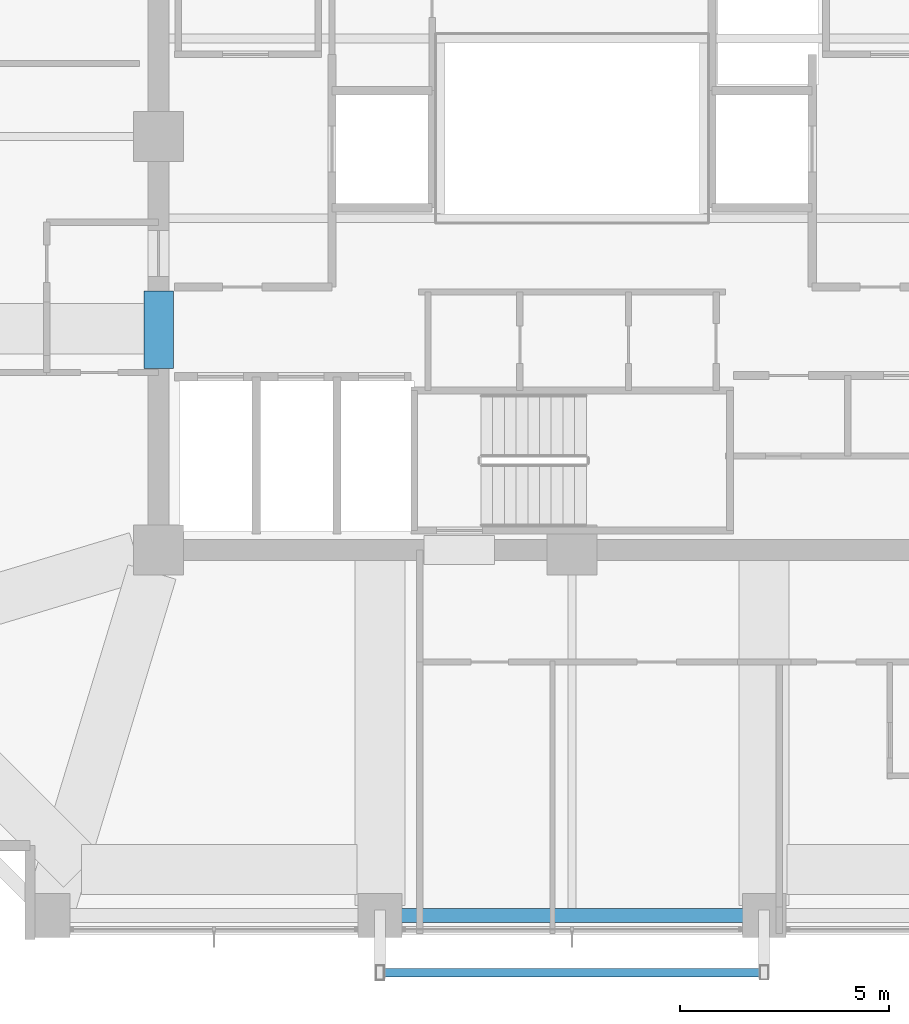
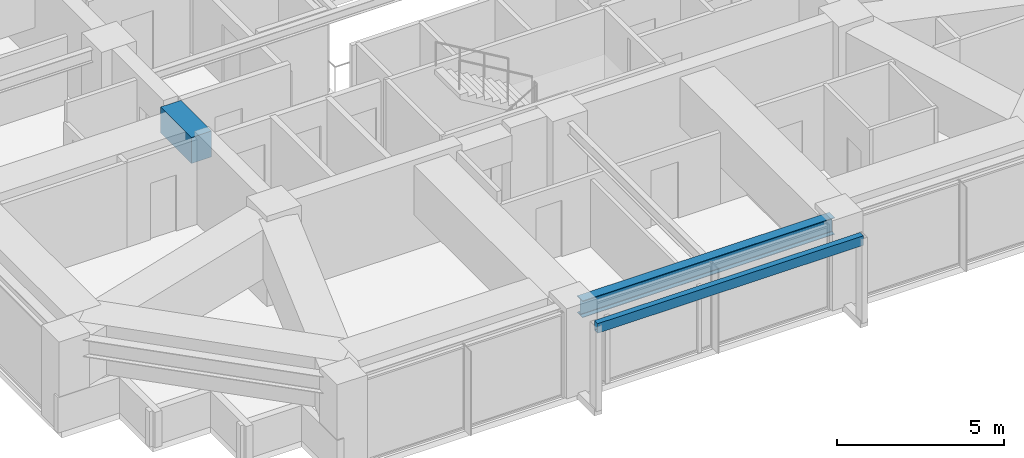
# One storey, part 4 of 28: 2 beams, 1 member.
"""IFC4 building model written with IfcOpenShell, lengths in metres."""

import ifcopenshell
import ifcopenshell.guid

model = None  # the IFC model being written
_history = None  # IfcOwnerHistory: only IFC2X3 demands one
_inside = {}  # id of a spatial element -> (the spatial element, [elements in it])
_under = {}  # id of a project, library or spatial element -> (it, [spatial elements below it])
_declared = {}  # id of a project -> (the project, [libraries it declares])
_typed = {}  # id of a type object -> (the type object, [elements of that type])
_made_of = {}  # id of a material, layer set ... -> (it, [elements and type objects made of it])


def new_model(schema):
    """Start an empty IFC model of exactly this schema.

    Asked for "IFC4X3", IfcOpenShell would pick the latest addendum, in which some entities
    have other attributes; the version numbers below select the first issue.
    IFC2X3 requires an IfcOwnerHistory on every rooted entity: one is made here for all.
    """
    global model, _history
    if schema == "IFC4X3":
        model = ifcopenshell.file(schema_version=(4, 3, 0, 0))
    else:
        model = ifcopenshell.file(schema=schema)
    _inside.clear()
    _under.clear()
    _declared.clear()
    _typed.clear()
    _made_of.clear()
    _history = None
    if model.schema == "IFC2X3":
        org = make("IfcOrganization", Name="unknown")
        user = make(
            "IfcPersonAndOrganization",
            ThePerson=make("IfcPerson", FamilyName="unknown"),
            TheOrganization=org,
        )
        app = make(
            "IfcApplication",
            ApplicationDeveloper=org,
            Version="unknown",
            ApplicationFullName="unknown",
            ApplicationIdentifier="unknown",
        )
        _history = make(
            "IfcOwnerHistory",
            OwningUser=user,
            OwningApplication=app,
            ChangeAction="ADDED",
            CreationDate=0,
        )
    return model


def make(cls, **values):
    """One entity of the class cls with the attributes given. An attribute that is None is left unset."""
    return model.create_entity(
        cls, **{name: value for name, value in values.items() if value is not None}
    )


def rooted(cls, **values):
    """An entity with a GlobalId (a new one), such as an element, a storey or a relation."""
    return make(cls, GlobalId=ifcopenshell.guid.new(), OwnerHistory=_history, **values)


def si_unit(unit_type, name, prefix=None):
    """IfcSIUnit, for example si_unit("LENGTHUNIT", "METRE", prefix="MILLI")."""
    return make("IfcSIUnit", UnitType=unit_type, Prefix=prefix, Name=name)


def assignment(units):
    """IfcUnitAssignment: the units of a project."""
    return None if units is None else make("IfcUnitAssignment", Units=units)


def point(xyz):
    """IfcCartesianPoint."""
    return None if xyz is None else make("IfcCartesianPoint", Coordinates=xyz)


def direction(xyz):
    """IfcDirection."""
    return None if xyz is None else make("IfcDirection", DirectionRatios=xyz)


def frame(location, z_axis=None, x_axis=None):
    """IfcAxis2Placement3D, a coordinate frame: its origin and axes. An axis left out is left unset."""
    return make(
        "IfcAxis2Placement3D",
        Location=point(location),
        Axis=direction(z_axis),
        RefDirection=direction(x_axis),
    )


def frame_2d(location, x_axis=None):
    """IfcAxis2Placement2D, a coordinate frame in the plane: its origin and x axis."""
    return make(
        "IfcAxis2Placement2D", Location=point(location), RefDirection=direction(x_axis)
    )


def origin():
    """The frame at (0, 0, 0) with its axes left unset."""
    return frame((0.0, 0.0, 0.0))


def origin_2d():
    """The frame at (0, 0) in the plane with its x axis left unset."""
    return frame_2d((0.0, 0.0))


def place(relative_to, where):
    """IfcLocalPlacement: puts the frame where relative to a parent placement (None: the world)."""
    return make(
        "IfcLocalPlacement", PlacementRelTo=relative_to, RelativePlacement=where
    )


def context(
    kind, dimensions, precision=None, world=None, true_north=None, identifier=None
):
    """IfcGeometricRepresentationContext, for example the 3D "Model" context."""
    return make(
        "IfcGeometricRepresentationContext",
        ContextIdentifier=identifier,
        ContextType=kind,
        CoordinateSpaceDimension=dimensions,
        Precision=precision,
        WorldCoordinateSystem=world,
        TrueNorth=true_north,
    )


def subcontext(parent, identifier, kind, view, scale=None):
    """IfcGeometricRepresentationSubContext, for example "Body" below "Model"."""
    return make(
        "IfcGeometricRepresentationSubContext",
        ContextIdentifier=identifier,
        ContextType=kind,
        ParentContext=parent,
        TargetScale=scale,
        TargetView=view,
    )


def project(units=None, contexts=None):
    """IfcProject with its units and contexts."""
    return rooted(
        "IfcProject",
        Name="project",
        RepresentationContexts=contexts,
        UnitsInContext=assignment(units),
    )


def spatial(cls, under=None, at=None, **own):
    """A site, building, storey or space (cls), placed at a placement, below another one or the project."""
    s = rooted(cls, ObjectPlacement=at, **own)
    if under is not None:
        _under.setdefault(under.id(), (under, []))[1].append(s)
    return s


def profile(cls, at=None, kind="AREA", **sizes):
    """A parametric profile (cls). Its sizes go by their IFC names, for example OverallWidth=200.0."""
    return make(cls, ProfileType=kind, Position=at, **sizes)


def rectangle(**sizes):
    """IfcRectangleProfileDef."""
    return profile("IfcRectangleProfileDef", **sizes)


def hollow_rectangle(**sizes):
    """IfcRectangleHollowProfileDef."""
    return profile("IfcRectangleHollowProfileDef", **sizes)


def i_section(**sizes):
    """IfcIShapeProfileDef."""
    return profile("IfcIShapeProfileDef", **sizes)


def extrude(swept, where, along, depth):
    """IfcExtrudedAreaSolid: the profile swept, set in the frame where, extruded along a direction by depth."""
    return make(
        "IfcExtrudedAreaSolid",
        SweptArea=swept,
        Position=where,
        ExtrudedDirection=direction(along),
        Depth=depth,
    )


def shape(context_of_items, identifier, shape_type, items):
    """IfcShapeRepresentation: the items that make up one representation, for example the "Body"."""
    return make(
        "IfcShapeRepresentation",
        ContextOfItems=context_of_items,
        RepresentationIdentifier=identifier,
        RepresentationType=shape_type,
        Items=items,
    )


def material(Name=None, Category=None):
    """IfcMaterial."""
    return make("IfcMaterial", Name=Name, Category=Category)


def material_profile(
    of_material, cross_section, Name=None, Category=None, Priority=None
):
    """IfcMaterialProfile: a cross section and its material."""
    return make(
        "IfcMaterialProfile",
        Name=Name,
        Material=of_material,
        Profile=cross_section,
        Priority=Priority,
        Category=Category,
    )


def profile_set(profiles, Name=None, composite=None):
    """IfcMaterialProfileSet."""
    return make(
        "IfcMaterialProfileSet",
        Name=Name,
        MaterialProfiles=profiles,
        CompositeProfile=composite,
    )


def made_of(thing, what):
    """Note that an element or type object is made of a material, layer set ...; save() writes the relation."""
    if what is not None:
        _made_of.setdefault(what.id(), (what, []))[1].append(thing)
    return thing


def type_object(cls, material=None, **own):
    """A type object (cls), such as IfcWallType, which elements share."""
    return made_of(rooted(cls, **own), material)


def element(
    cls,
    number,
    at=None,
    inside=None,
    cuts=None,
    type_object=None,
    material=None,
    context=None,
    identifier="Body",
    shape_type=None,
    held_by="IfcProductDefinitionShape",
    body=None,
    shapes=None,
    **own,
):
    """One element of the class cls, such as IfcWall. Its Tag is "e" and its number.

    at: its placement. inside: the storey or other place that contains it. cuts: it is an
    opening in that element (IfcRelVoidsElement). A single representation is given by context,
    identifier, shape_type and body (its items); several are given by shapes. held_by: the class
    of the entity that holds the representations. save() writes the other relations.
    """
    e = rooted(cls, Tag="e%d" % number, ObjectPlacement=at, **own)
    if body is not None:
        shapes = [shape(context, identifier, shape_type, body)]
    if shapes is not None:
        e.Representation = make(held_by, Representations=shapes)
    if inside is not None:
        _inside.setdefault(inside.id(), (inside, []))[1].append(e)
    if cuts is not None:
        rooted(
            "IfcRelVoidsElement", RelatingBuildingElement=cuts, RelatedOpeningElement=e
        )
    if type_object is not None:
        _typed.setdefault(type_object.id(), (type_object, []))[1].append(e)
    return made_of(e, material)


def aggregate(whole, parts):
    """IfcRelAggregates: a whole, such as a stair, and the parts it consists of."""
    return rooted("IfcRelAggregates", RelatingObject=whole, RelatedObjects=parts)


def save(model, path):
    """Write the relations noted so far, then the file.

    IfcRelAggregates (storeys below a building ...), IfcRelContainedInSpatialStructure (elements
    in a storey), IfcRelDefinesByType, IfcRelAssociatesMaterial and IfcRelDeclares: one each for
    every whole, place, type object, material and project.
    """
    for whole, parts in _under.values():
        aggregate(whole, parts)
    for where, things in _inside.values():
        rooted(
            "IfcRelContainedInSpatialStructure",
            RelatedElements=things,
            RelatingStructure=where,
        )
    for kind, things in _typed.values():
        rooted("IfcRelDefinesByType", RelatedObjects=things, RelatingType=kind)
    for what, things in _made_of.values():
        rooted("IfcRelAssociatesMaterial", RelatedObjects=things, RelatingMaterial=what)
    for by, libraries in _declared.values():
        rooted("IfcRelDeclares", RelatingContext=by, RelatedDefinitions=libraries)
    model.write(path)


model = new_model("IFC4")

# Units and contexts
model_context = context("Model", 3, precision=1e-05, world=origin(), true_north=direction((0.0, 1.0)))
body_context = subcontext(model_context, "Body", "Model", "MODEL_VIEW")
ifc_project = project(units=[si_unit("LENGTHUNIT", "METRE"), si_unit("AREAUNIT", "SQUARE_METRE"), si_unit("VOLUMEUNIT", "CUBIC_METRE"), si_unit("PLANEANGLEUNIT", "RADIAN"), si_unit("MASSUNIT", "GRAM", prefix="KILO")], contexts=[model_context])

# Site, building, storey
site_placement = place(None, origin())
site = spatial("IfcSite", under=ifc_project, at=site_placement, CompositionType="ELEMENT")
building_placement = place(site_placement, origin())
building = spatial("IfcBuilding", under=site, at=building_placement, Name="Kolvaren Belvedere", CompositionType="ELEMENT")
storey_placement = place(building_placement, frame((0.0, 0.0, 125.0)))
storey = spatial("IfcBuildingStorey", under=building, at=storey_placement, Name="L36", CompositionType="ELEMENT", Elevation=125.0)

# Beams
ifc_material_1 = material(Name="Concrete C60/75", Category="concrete")
ifc_material_profile_1 = material_profile(ifc_material_1, rectangle(XDim=0.699951171875, YDim=0.949951171875, at=origin_2d()), Name="RC 700X950")
ifc_profile_set_1 = profile_set([ifc_material_profile_1], Name="Concrete C60/75")
beam_type_1 = type_object("IfcBeamType", Name="BM-LINT-950", PredefinedType="LINTEL", material=ifc_profile_set_1)
beam_1_placement = place(storey_placement, frame((-9.89990234375, -5.550048828125, 2.625), z_axis=(0.0, 1.0, 0.0), x_axis=(-1.0, 0.0, 0.0)))
element("IfcBeam", 1, at=beam_1_placement, inside=storey, type_object=beam_type_1, Name="L36 West Core Coupling Lintel", PredefinedType="LINTEL", context=body_context, shape_type="SweptSolid", body=[
    extrude(rectangle(XDim=0.699951171875, YDim=0.949951171875, at=origin_2d()), origin(), (0.0, 0.0, 1.0), 1.85009765625),
])
ifc_material_2 = material(Name="Structural steel ASTM A992 Grade 50", Category="steel")
ifc_material_profile_2 = material_profile(ifc_material_2, i_section(OverallWidth=0.324951171875, OverallDepth=0.615966796875, WebThickness=0.013916015625, FlangeThickness=0.021484375, FilletRadius=0.02001953125, at=origin_2d()), Name="W24X117")
ifc_profile_set_2 = profile_set([ifc_material_profile_2], Name="Structural steel ASTM A992 Grade 50")
beam_type_2 = type_object("IfcBeamType", Name="BM-SPAN-W24X117", PredefinedType="SPANDREL", material=ifc_profile_set_2)
beam_2_placement = place(storey_placement, frame((-4.36376953125, -18.64990234375, 2.7919921875), z_axis=(1.0, 0.0, 0.0), x_axis=(0.0, 1.0, 0.0)))
element("IfcBeam", 2, at=beam_2_placement, inside=storey, type_object=beam_type_2, Name="L36 Perimeter Spandrel S2-S3", PredefinedType="SPANDREL", context=body_context, shape_type="SweptSolid", body=[
    extrude(i_section(OverallWidth=0.324951171875, OverallDepth=0.615966796875, WebThickness=0.013916015625, FlangeThickness=0.021484375, FilletRadius=0.02001953125, at=origin_2d()), origin(), (0.0, 0.0, 1.0), 8.7275390625),
])

# Member
ifc_material_3 = material(Name="Anodised pale-metal aluminium AA 6063-T6", Category="aluminium")
ifc_material_profile_3 = material_profile(ifc_material_3, hollow_rectangle(XDim=0.199951171875, YDim=0.35009765625, WallThickness=0.007568359375, at=origin_2d()), Name="ALU-PF-350X200")
ifc_profile_set_3 = profile_set([ifc_material_profile_3], Name="Anodised pale-metal aluminium AA 6063-T6")
member_type = type_object("IfcMemberType", Name="PF-FRAME-350", PredefinedType="USERDEFINED", material=ifc_profile_set_3)
member_placement = place(storey_placement, frame((4.60009765625, -20.02001953125, 2.969970703125), z_axis=(-1.0, 0.0, 0.0), x_axis=(0.0, -1.0, 0.0)))
element("IfcMember", 3, at=member_placement, inside=storey, type_object=member_type, Name="L36 Outboard Picture-Frame Head S", ObjectType="PICTURE FRAME FIN", PredefinedType="USERDEFINED", context=body_context, shape_type="SweptSolid", body=[
    extrude(hollow_rectangle(XDim=0.199951171875, YDim=0.35009765625, WallThickness=0.007568359375, at=origin_2d()), origin(), (0.0, 0.0, 1.0), 9.2001953125),
])

save(model, "model.ifc")
